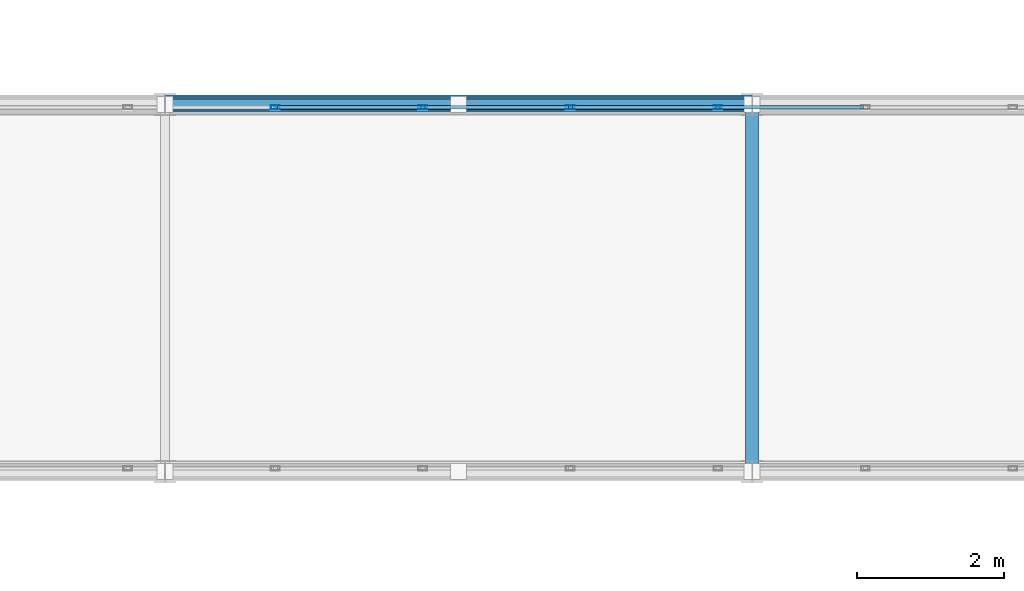
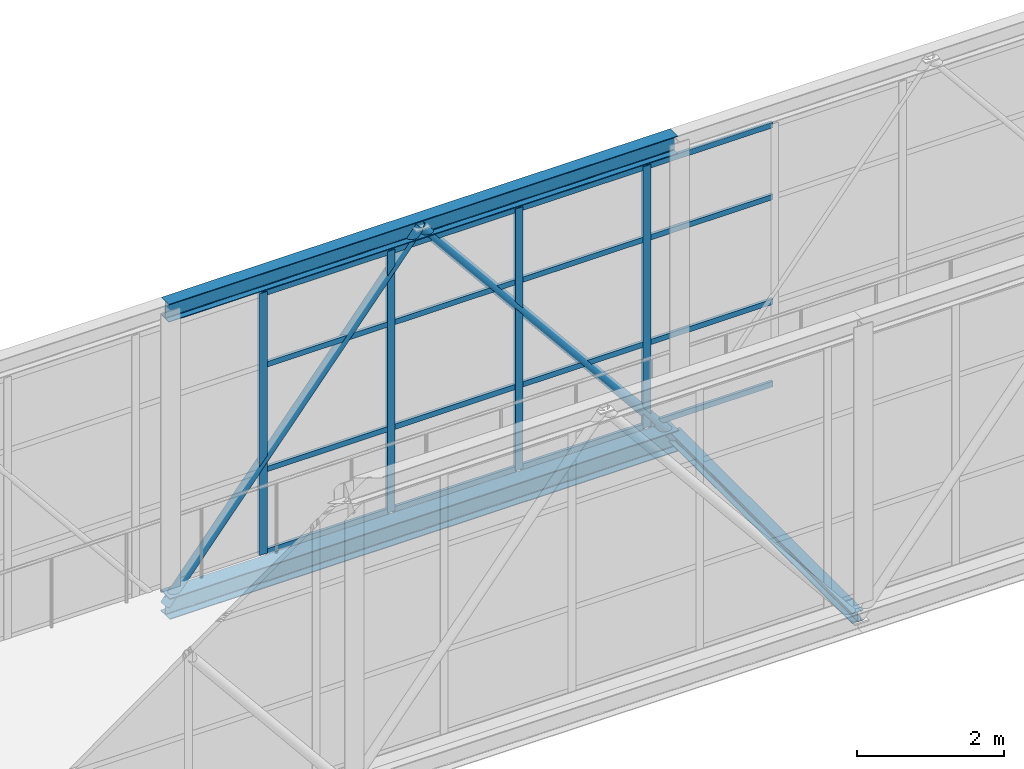
# One storey, part 95 of 248: 25 members, 1 element without a shape of its own.
"""IFC4 building model written with IfcOpenShell, lengths in metres."""

from ifc_helpers import new_model, si_unit, direction, frame, origin, origin_2d, place, context, subcontext, project, spatial, hollow_rectangle, hollow_circle, i_section, extrude, material, layer, layer_set, material_profile, profile_set, type_object, element, aggregate, save


model = new_model("IFC4")

# Units and contexts
model_context = context("Model", 3, precision=1e-05, world=origin(), true_north=direction((0.0, 1.0)))
body_context = subcontext(model_context, "Body", "Model", "MODEL_VIEW")
ifc_project = project(units=[si_unit("LENGTHUNIT", "METRE"), si_unit("AREAUNIT", "SQUARE_METRE"), si_unit("VOLUMEUNIT", "CUBIC_METRE"), si_unit("PLANEANGLEUNIT", "RADIAN"), si_unit("MASSUNIT", "GRAM", prefix="KILO")], contexts=[model_context])

# Site, building, storey
site_placement = place(None, origin())
site = spatial("IfcSite", under=ifc_project, at=site_placement, CompositionType="ELEMENT")
building_placement = place(site_placement, origin())
building = spatial("IfcBuilding", under=site, at=building_placement, Name="Canggui Botanical Conservatory", CompositionType="ELEMENT")
storey_placement = place(building_placement, frame((0.0, 0.0, 5.39990234375)))
storey = spatial("IfcBuildingStorey", under=building, at=storey_placement, Name="L02", CompositionType="ELEMENT", Elevation=5.39990234375)

# Curtain wall, members
ifc_material_1 = material(Name="Thermally Broken Aluminium", Category="aluminium")
ifc_layer = layer(ifc_material_1, 0.1201171875, Name="Thermally Broken Aluminium", Category="aluminium")
ifc_layer_set = layer_set([ifc_layer], Name="Thermally Broken Aluminium")
curtain_wall_type = type_object("IfcCurtainWallType", Name="CW-STICK-B", PredefinedType="USERDEFINED", material=ifc_layer_set)
curtain_wall_placement = place(storey_placement, origin())
curtain_wall = element("IfcCurtainWall", 1, at=curtain_wall_placement, inside=storey, type_object=curtain_wall_type, Name="Facade Curtain Wall CW-SB-01-2", ObjectType="STICK GLAZED WALL", PredefinedType="USERDEFINED")
ifc_material_profile_1 = material_profile(ifc_material_1, hollow_rectangle(XDim=0.054931640625, YDim=0.1201171875, WallThickness=0.0029296875, at=origin_2d()), Name="CWM 55x120x3")
ifc_profile_set_1 = profile_set([ifc_material_profile_1], Name="Thermally Broken Aluminium")
member_type_1 = type_object("IfcMemberType", Name="CWM-05", PredefinedType="MULLION", material=ifc_profile_set_1)
member_1_placement = place(storey_placement, frame((99.0048828125, 30.9599609375, 0.0), z_axis=(0.0, 0.0, 1.0), x_axis=(0.0, 1.0, 0.0)))
member_1 = element("IfcMember", 2, at=member_1_placement, type_object=member_type_1, Name="CW-05 mullion 17", PredefinedType="MULLION", context=body_context, shape_type="SweptSolid", body=[
    extrude(hollow_rectangle(XDim=0.054931640625, YDim=0.1201171875, WallThickness=0.0029296875, at=origin_2d()), origin(), (0.0, 0.0, 1.0), 4.35009765625),
])
member_2_placement = place(storey_placement, frame((101.014404296875, 30.9599609375, 0.0), z_axis=(0.0, 0.0, 1.0), x_axis=(0.0, 1.0, 0.0)))
member_2 = element("IfcMember", 3, at=member_2_placement, type_object=member_type_1, Name="CW-05 mullion 18", PredefinedType="MULLION", context=body_context, shape_type="SweptSolid", body=[
    extrude(hollow_rectangle(XDim=0.054931640625, YDim=0.1201171875, WallThickness=0.0029296875, at=origin_2d()), origin(), (0.0, 0.0, 1.0), 4.35009765625),
])
member_3_placement = place(storey_placement, frame((103.024169921875, 30.9599609375, 0.0), z_axis=(0.0, 0.0, 1.0), x_axis=(0.0, 1.0, 0.0)))
member_3 = element("IfcMember", 4, at=member_3_placement, type_object=member_type_1, Name="CW-05 mullion 19", PredefinedType="MULLION", context=body_context, shape_type="SweptSolid", body=[
    extrude(hollow_rectangle(XDim=0.054931640625, YDim=0.1201171875, WallThickness=0.0029296875, at=origin_2d()), origin(), (0.0, 0.0, 1.0), 4.35009765625),
])
member_4_placement = place(storey_placement, frame((105.033935546875, 30.9599609375, 0.0), z_axis=(0.0, 0.0, 1.0), x_axis=(0.0, 1.0, 0.0)))
member_4 = element("IfcMember", 5, at=member_4_placement, type_object=member_type_1, Name="CW-05 mullion 20", PredefinedType="MULLION", context=body_context, shape_type="SweptSolid", body=[
    extrude(hollow_rectangle(XDim=0.054931640625, YDim=0.1201171875, WallThickness=0.0029296875, at=origin_2d()), origin(), (0.0, 0.0, 1.0), 4.35009765625),
])
ifc_material_profile_2 = material_profile(ifc_material_1, hollow_rectangle(XDim=0.044921875, YDim=0.090087890625, WallThickness=0.0029296875, at=origin_2d()), Name="CWT 45x90x3")
ifc_profile_set_2 = profile_set([ifc_material_profile_2], Name="Thermally Broken Aluminium")
member_type_2 = type_object("IfcMemberType", Name="CWT-05", PredefinedType="USERDEFINED", material=ifc_profile_set_2)
member_5_placement = place(storey_placement, frame((99.0322265625, 30.9599609375, 0.022705078125), z_axis=(1.0, 0.0, 0.0), x_axis=(0.0, 1.0, 0.0)))
member_5 = element("IfcMember", 6, at=member_5_placement, type_object=member_type_2, Name="CW-05 transom 17.1", ObjectType="TRANSOM", PredefinedType="USERDEFINED", context=body_context, shape_type="SweptSolid", body=[
    extrude(hollow_rectangle(XDim=0.044921875, YDim=0.090087890625, WallThickness=0.0029296875, at=origin_2d()), origin(), (0.0, 0.0, 1.0), 1.954833984375),
])
member_6_placement = place(storey_placement, frame((99.0322265625, 30.9599609375, 1.39208984375), z_axis=(1.0, 0.0, 0.0), x_axis=(0.0, 1.0, 0.0)))
member_6 = element("IfcMember", 7, at=member_6_placement, type_object=member_type_2, Name="CW-05 transom 17.2", ObjectType="TRANSOM", PredefinedType="USERDEFINED", context=body_context, shape_type="SweptSolid", body=[
    extrude(hollow_rectangle(XDim=0.044921875, YDim=0.090087890625, WallThickness=0.0029296875, at=origin_2d()), origin(), (0.0, 0.0, 1.0), 1.954833984375),
])
member_7_placement = place(storey_placement, frame((99.0322265625, 30.9599609375, 3.132080078125), z_axis=(1.0, 0.0, 0.0), x_axis=(0.0, 1.0, 0.0)))
member_7 = element("IfcMember", 8, at=member_7_placement, type_object=member_type_2, Name="CW-05 transom 17.3", ObjectType="TRANSOM", PredefinedType="USERDEFINED", context=body_context, shape_type="SweptSolid", body=[
    extrude(hollow_rectangle(XDim=0.044921875, YDim=0.090087890625, WallThickness=0.0029296875, at=origin_2d()), origin(), (0.0, 0.0, 1.0), 1.954833984375),
])
member_8_placement = place(storey_placement, frame((99.0322265625, 30.9599609375, 4.32763671875), z_axis=(1.0, 0.0, 0.0), x_axis=(0.0, 1.0, 0.0)))
member_8 = element("IfcMember", 9, at=member_8_placement, type_object=member_type_2, Name="CW-05 transom 17.4", ObjectType="TRANSOM", PredefinedType="USERDEFINED", context=body_context, shape_type="SweptSolid", body=[
    extrude(hollow_rectangle(XDim=0.044921875, YDim=0.090087890625, WallThickness=0.0029296875, at=origin_2d()), origin(), (0.0, 0.0, 1.0), 1.954833984375),
])
member_9_placement = place(storey_placement, frame((101.0419921875, 30.9599609375, 0.022705078125), z_axis=(1.0, 0.0, 0.0), x_axis=(0.0, 1.0, 0.0)))
member_9 = element("IfcMember", 10, at=member_9_placement, type_object=member_type_2, Name="CW-05 transom 18.1", ObjectType="TRANSOM", PredefinedType="USERDEFINED", context=body_context, shape_type="SweptSolid", body=[
    extrude(hollow_rectangle(XDim=0.044921875, YDim=0.090087890625, WallThickness=0.0029296875, at=origin_2d()), origin(), (0.0, 0.0, 1.0), 1.95458984375),
])
member_10_placement = place(storey_placement, frame((101.0419921875, 30.9599609375, 1.39208984375), z_axis=(1.0, 0.0, 0.0), x_axis=(0.0, 1.0, 0.0)))
member_10 = element("IfcMember", 11, at=member_10_placement, type_object=member_type_2, Name="CW-05 transom 18.2", ObjectType="TRANSOM", PredefinedType="USERDEFINED", context=body_context, shape_type="SweptSolid", body=[
    extrude(hollow_rectangle(XDim=0.044921875, YDim=0.090087890625, WallThickness=0.0029296875, at=origin_2d()), origin(), (0.0, 0.0, 1.0), 1.95458984375),
])
member_11_placement = place(storey_placement, frame((101.0419921875, 30.9599609375, 3.132080078125), z_axis=(1.0, 0.0, 0.0), x_axis=(0.0, 1.0, 0.0)))
member_11 = element("IfcMember", 12, at=member_11_placement, type_object=member_type_2, Name="CW-05 transom 18.3", ObjectType="TRANSOM", PredefinedType="USERDEFINED", context=body_context, shape_type="SweptSolid", body=[
    extrude(hollow_rectangle(XDim=0.044921875, YDim=0.090087890625, WallThickness=0.0029296875, at=origin_2d()), origin(), (0.0, 0.0, 1.0), 1.95458984375),
])
member_12_placement = place(storey_placement, frame((101.0419921875, 30.9599609375, 4.32763671875), z_axis=(1.0, 0.0, 0.0), x_axis=(0.0, 1.0, 0.0)))
member_12 = element("IfcMember", 13, at=member_12_placement, type_object=member_type_2, Name="CW-05 transom 18.4", ObjectType="TRANSOM", PredefinedType="USERDEFINED", context=body_context, shape_type="SweptSolid", body=[
    extrude(hollow_rectangle(XDim=0.044921875, YDim=0.090087890625, WallThickness=0.0029296875, at=origin_2d()), origin(), (0.0, 0.0, 1.0), 1.95458984375),
])
member_13_placement = place(storey_placement, frame((103.0517578125, 30.9599609375, 0.022705078125), z_axis=(1.0, 0.0, 0.0), x_axis=(0.0, 1.0, 0.0)))
member_13 = element("IfcMember", 14, at=member_13_placement, type_object=member_type_2, Name="CW-05 transom 19.1", ObjectType="TRANSOM", PredefinedType="USERDEFINED", context=body_context, shape_type="SweptSolid", body=[
    extrude(hollow_rectangle(XDim=0.044921875, YDim=0.090087890625, WallThickness=0.0029296875, at=origin_2d()), origin(), (0.0, 0.0, 1.0), 1.95458984375),
])
member_14_placement = place(storey_placement, frame((103.0517578125, 30.9599609375, 1.39208984375), z_axis=(1.0, 0.0, 0.0), x_axis=(0.0, 1.0, 0.0)))
member_14 = element("IfcMember", 15, at=member_14_placement, type_object=member_type_2, Name="CW-05 transom 19.2", ObjectType="TRANSOM", PredefinedType="USERDEFINED", context=body_context, shape_type="SweptSolid", body=[
    extrude(hollow_rectangle(XDim=0.044921875, YDim=0.090087890625, WallThickness=0.0029296875, at=origin_2d()), origin(), (0.0, 0.0, 1.0), 1.95458984375),
])
member_15_placement = place(storey_placement, frame((103.0517578125, 30.9599609375, 3.132080078125), z_axis=(1.0, 0.0, 0.0), x_axis=(0.0, 1.0, 0.0)))
member_15 = element("IfcMember", 16, at=member_15_placement, type_object=member_type_2, Name="CW-05 transom 19.3", ObjectType="TRANSOM", PredefinedType="USERDEFINED", context=body_context, shape_type="SweptSolid", body=[
    extrude(hollow_rectangle(XDim=0.044921875, YDim=0.090087890625, WallThickness=0.0029296875, at=origin_2d()), origin(), (0.0, 0.0, 1.0), 1.95458984375),
])
member_16_placement = place(storey_placement, frame((103.0517578125, 30.9599609375, 4.32763671875), z_axis=(1.0, 0.0, 0.0), x_axis=(0.0, 1.0, 0.0)))
member_16 = element("IfcMember", 17, at=member_16_placement, type_object=member_type_2, Name="CW-05 transom 19.4", ObjectType="TRANSOM", PredefinedType="USERDEFINED", context=body_context, shape_type="SweptSolid", body=[
    extrude(hollow_rectangle(XDim=0.044921875, YDim=0.090087890625, WallThickness=0.0029296875, at=origin_2d()), origin(), (0.0, 0.0, 1.0), 1.95458984375),
])
member_17_placement = place(storey_placement, frame((105.061279296875, 30.9599609375, 0.022705078125), z_axis=(1.0, 0.0, 0.0), x_axis=(0.0, 1.0, 0.0)))
member_17 = element("IfcMember", 18, at=member_17_placement, type_object=member_type_2, Name="CW-05 transom 20.1", ObjectType="TRANSOM", PredefinedType="USERDEFINED", context=body_context, shape_type="SweptSolid", body=[
    extrude(hollow_rectangle(XDim=0.044921875, YDim=0.090087890625, WallThickness=0.0029296875, at=origin_2d()), origin(), (0.0, 0.0, 1.0), 1.954833984375),
])
member_18_placement = place(storey_placement, frame((105.061279296875, 30.9599609375, 1.39208984375), z_axis=(1.0, 0.0, 0.0), x_axis=(0.0, 1.0, 0.0)))
member_18 = element("IfcMember", 19, at=member_18_placement, type_object=member_type_2, Name="CW-05 transom 20.2", ObjectType="TRANSOM", PredefinedType="USERDEFINED", context=body_context, shape_type="SweptSolid", body=[
    extrude(hollow_rectangle(XDim=0.044921875, YDim=0.090087890625, WallThickness=0.0029296875, at=origin_2d()), origin(), (0.0, 0.0, 1.0), 1.954833984375),
])
member_19_placement = place(storey_placement, frame((105.061279296875, 30.9599609375, 3.132080078125), z_axis=(1.0, 0.0, 0.0), x_axis=(0.0, 1.0, 0.0)))
member_19 = element("IfcMember", 20, at=member_19_placement, type_object=member_type_2, Name="CW-05 transom 20.3", ObjectType="TRANSOM", PredefinedType="USERDEFINED", context=body_context, shape_type="SweptSolid", body=[
    extrude(hollow_rectangle(XDim=0.044921875, YDim=0.090087890625, WallThickness=0.0029296875, at=origin_2d()), origin(), (0.0, 0.0, 1.0), 1.954833984375),
])
member_20_placement = place(storey_placement, frame((105.061279296875, 30.9599609375, 4.32763671875), z_axis=(1.0, 0.0, 0.0), x_axis=(0.0, 1.0, 0.0)))
member_20 = element("IfcMember", 21, at=member_20_placement, type_object=member_type_2, Name="CW-05 transom 20.4", ObjectType="TRANSOM", PredefinedType="USERDEFINED", context=body_context, shape_type="SweptSolid", body=[
    extrude(hollow_rectangle(XDim=0.044921875, YDim=0.090087890625, WallThickness=0.0029296875, at=origin_2d()), origin(), (0.0, 0.0, 1.0), 1.954833984375),
])
aggregate(curtain_wall, [member_1, member_2, member_3, member_4, member_5, member_6, member_7, member_8, member_9, member_10, member_11, member_12, member_13, member_14, member_15, member_16, member_17, member_18, member_19, member_20])

# Members
ifc_material_2 = material(Name="Steel Q355C", Category="steel")
ifc_material_profile_3 = material_profile(ifc_material_2, hollow_circle(Radius=0.075927734375, WallThickness=0.006103515625, at=origin_2d()), Name="CHS 152x6")
ifc_profile_set_3 = profile_set([ifc_material_profile_3], Name="Steel Q355C")
member_type_3 = type_object("IfcMemberType", Name="MEM-GSD04", PredefinedType="RAFTER", material=ifc_profile_set_3)
for number, where, z_axis, x_axis, name in (
    (22, (97.5, 31.0, -0.349853515625), (0.632384053133, 0.0, 0.774655026024), (0.0, 1.0, 0.0), "SB-01 Truss Web Rafter 2.5A"),
    (23, (101.5, 31.0, 4.550048828125), (0.632384053133, 0.0, -0.774655026024), (0.0, 1.0, 0.0), "SB-01 Truss Web Rafter 2.5B"),
):
    element("IfcMember", number, at=place(storey_placement, frame(where, z_axis=z_axis, x_axis=x_axis)), inside=storey, type_object=member_type_3, Name=name, PredefinedType="RAFTER", context=body_context, shape_type="SweptSolid", body=[
        extrude(hollow_circle(Radius=0.075927734375, WallThickness=0.006103515625, at=origin_2d()), origin(), (0.0, 0.0, 1.0), 6.3251953125),
    ])
ifc_material_3 = material(Name="Steel Q355B", Category="steel")
ifc_material_profile_4 = material_profile(ifc_material_3, i_section(OverallWidth=0.175048828125, OverallDepth=0.175048828125, WebThickness=0.007568359375, FlangeThickness=0.010986328125, FilletRadius=0.011962890625, at=origin_2d()), Name="HW 175x175x7.5x11")
ifc_profile_set_4 = profile_set([ifc_material_profile_4], Name="Steel Q355B")
member_type_4 = type_object("IfcMemberType", Name="MEM-STR02", PredefinedType="STRINGER", material=ifc_profile_set_4)
member_21_placement = place(storey_placement, frame((105.5, 26.0, -0.31982421875), z_axis=(0.0, 1.0, 0.0), x_axis=(-1.0, 0.0, 0.0)))
element("IfcMember", 24, at=member_21_placement, inside=storey, type_object=member_type_4, Name="SB-01 Deck Transverse Stringer 5", PredefinedType="STRINGER", context=body_context, shape_type="SweptSolid", body=[
    extrude(i_section(OverallWidth=0.175048828125, OverallDepth=0.175048828125, WebThickness=0.007568359375, FlangeThickness=0.010986328125, FilletRadius=0.011962890625, at=origin_2d()), origin(), (0.0, 0.0, 1.0), 5.0),
])
ifc_material_profile_5 = material_profile(ifc_material_3, i_section(OverallWidth=0.25, OverallDepth=0.35009765625, WebThickness=0.009033203125, FlangeThickness=0.013916015625, FilletRadius=0.02001953125, at=origin_2d()), Name="HM 350x250x9x14")
ifc_profile_set_5 = profile_set([ifc_material_profile_5], Name="Steel Q355B")
member_type_5 = type_object("IfcMemberType", Name="MEM-TC03", PredefinedType="CHORD", material=ifc_profile_set_5)
member_22_placement = place(storey_placement, frame((97.5, 31.0, -0.349853515625), z_axis=(1.0, 0.0, 0.0), x_axis=(0.0, 1.0, 0.0)))
element("IfcMember", 25, at=member_22_placement, inside=storey, type_object=member_type_5, Name="SB-01 Deck Truss Bottom Chord 2.5", PredefinedType="CHORD", context=body_context, shape_type="SweptSolid", body=[
    extrude(i_section(OverallWidth=0.25, OverallDepth=0.35009765625, WebThickness=0.009033203125, FlangeThickness=0.013916015625, FilletRadius=0.02001953125, at=origin_2d()), origin(), (0.0, 0.0, 1.0), 8.0),
])
ifc_material_profile_6 = material_profile(ifc_material_3, i_section(OverallWidth=0.199951171875, OverallDepth=0.300048828125, WebThickness=0.008056640625, FlangeThickness=0.011962890625, FilletRadius=0.01806640625, at=origin_2d()), Name="HM 300x200x8x12")
ifc_profile_set_6 = profile_set([ifc_material_profile_6], Name="Steel Q355B")
member_type_6 = type_object("IfcMemberType", Name="MEM-TC04", PredefinedType="CHORD", material=ifc_profile_set_6)
member_23_placement = place(storey_placement, frame((97.5, 31.0, 4.550048828125), z_axis=(1.0, 0.0, 0.0), x_axis=(0.0, 1.0, 0.0)))
element("IfcMember", 26, at=member_23_placement, inside=storey, type_object=member_type_6, Name="SB-01 Roof Truss Top Chord 2.5", PredefinedType="CHORD", context=body_context, shape_type="SweptSolid", body=[
    extrude(i_section(OverallWidth=0.199951171875, OverallDepth=0.300048828125, WebThickness=0.008056640625, FlangeThickness=0.011962890625, FilletRadius=0.01806640625, at=origin_2d()), origin(), (0.0, 0.0, 1.0), 8.0),
])

save(model, "model.ifc")
